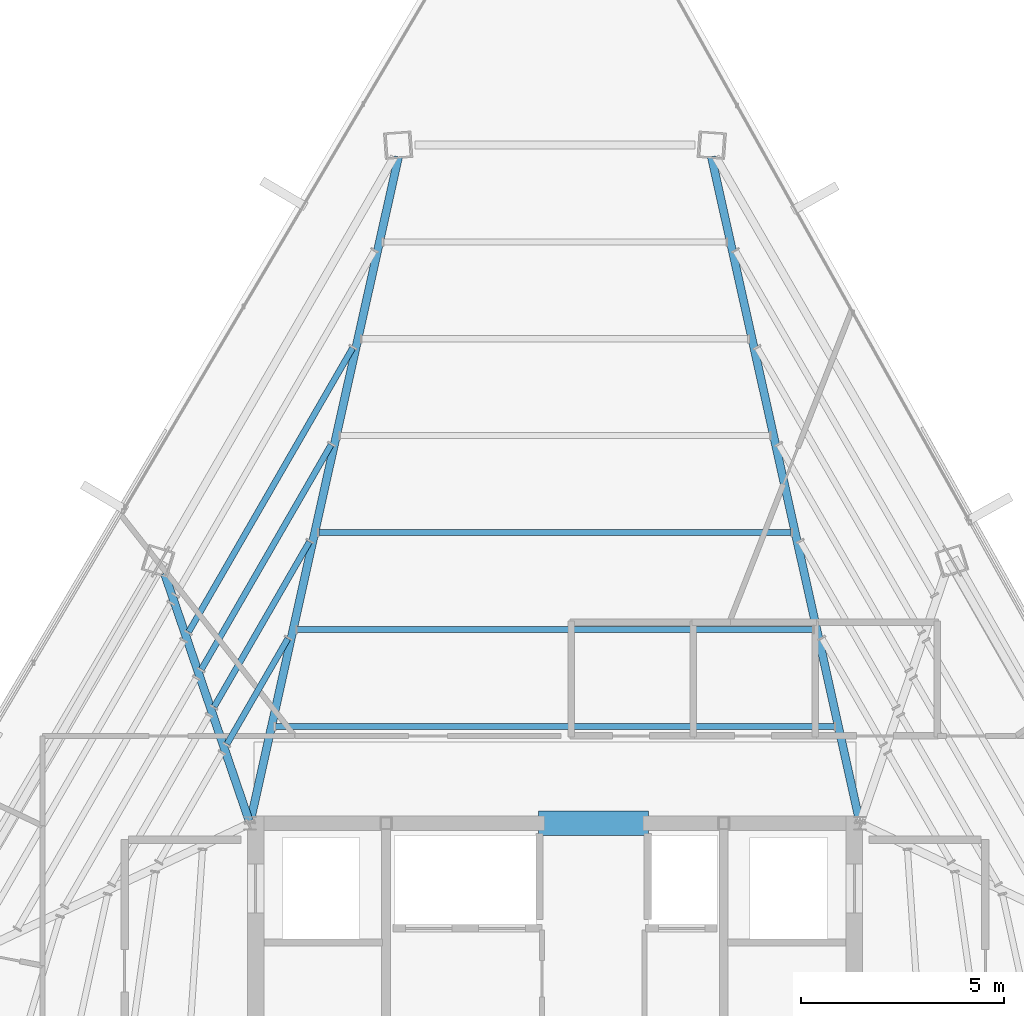
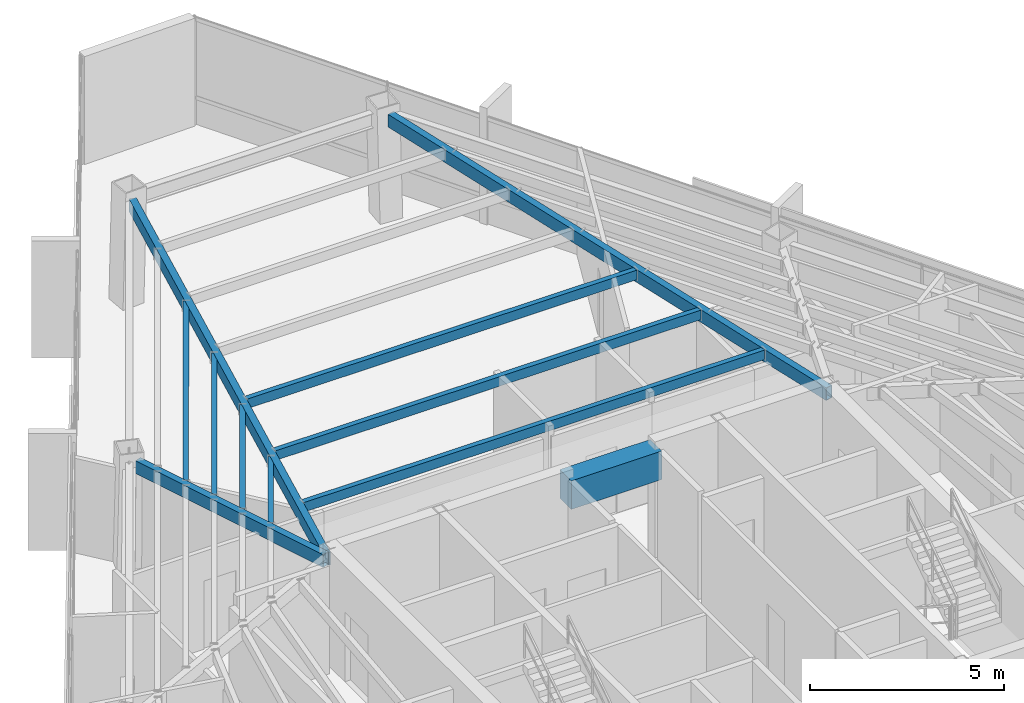
# One storey, part 18 of 47: 11 beams.
"""IFC4 building model written with IfcOpenShell, lengths in metres."""

from ifc_helpers import new_model, si_unit, direction, frame, origin, origin_2d, place, context, subcontext, project, spatial, rectangle, hollow_rectangle, extrude, source, transform, mapped, material, material_profile, profile_set, type_object, type_shapes, element, save


model = new_model("IFC4")

# Units and contexts
model_context = context("Model", 3, precision=1e-05, world=origin(), true_north=direction((0.0, 1.0)))
body_context = subcontext(model_context, "Body", "Model", "MODEL_VIEW")
ifc_project = project(units=[si_unit("LENGTHUNIT", "METRE"), si_unit("AREAUNIT", "SQUARE_METRE"), si_unit("VOLUMEUNIT", "CUBIC_METRE"), si_unit("PLANEANGLEUNIT", "RADIAN"), si_unit("MASSUNIT", "GRAM", prefix="KILO")], contexts=[model_context])

# Site, building, storey
site_placement = place(None, origin())
site = spatial("IfcSite", under=ifc_project, at=site_placement, CompositionType="ELEMENT")
building_placement = place(site_placement, origin())
building = spatial("IfcBuilding", under=site, at=building_placement, Name="Caelisora Broadcast Tower", CompositionType="ELEMENT")
storey_placement = place(building_placement, frame((0.0, 0.0, 255.39990234375)))
storey = spatial("IfcBuildingStorey", under=building, at=storey_placement, Name="L67", CompositionType="ELEMENT", Elevation=255.39990234375)

# Beams
ifc_material_1 = material(Name="Concrete 50 MPa (AS 3600 S50)", Category="concrete")
ifc_material_profile_1 = material_profile(ifc_material_1, rectangle(XDim=0.60009765625, YDim=0.89990234375, at=origin_2d()), Name="Concrete 50 MPa (AS 3600 S50)")
ifc_profile_set_1 = profile_set([ifc_material_profile_1], Name="Concrete 50 MPa (AS 3600 S50)")
beam_type_1 = type_object("IfcBeamType", Name="CB02", PredefinedType="LINTEL", material=ifc_profile_set_1)
shared_shape_1 = source(origin(), body_context, "Body", "SweptSolid", [
    extrude(rectangle(XDim=0.60009765625, YDim=0.89990234375, at=origin_2d()), origin(), (0.0, 0.0, 1.0), 2.699951171875),
])
type_shapes(beam_type_1, [shared_shape_1])
beam_1_placement = place(storey_placement, frame((37.60009765625, 30.0, 2.9501953125), z_axis=(1.0, 0.0, 0.0), x_axis=(0.0, 1.0, 0.0)))
element("IfcBeam", 1, at=beam_1_placement, inside=storey, type_object=beam_type_1, Name="L67 beam CB02", PredefinedType="LINTEL", context=body_context, shape_type="MappedRepresentation", body=[
    mapped(shared_shape_1, transform((0.0, 0.0, 0.0), scale=1.0)),
])
ifc_material_2 = material(Name="Steel Grade 350 (AS/NZS 1163 C350L0)", Category="steel")
ifc_material_profile_2 = material_profile(ifc_material_2, hollow_rectangle(XDim=0.199951171875, YDim=0.39990234375, WallThickness=0.012451171875, at=origin_2d()), Name="Steel Grade 350 (AS/NZS 1163 C350L0)")
ifc_profile_set_2 = profile_set([ifc_material_profile_2], Name="Steel Grade 350 (AS/NZS 1163 C350L0)")
beam_type_2 = type_object("IfcBeamType", Name="PG07", PredefinedType="BEAM", material=ifc_profile_set_2)
shared_shape_2 = source(origin(), body_context, "Body", "SweptSolid", [
    extrude(hollow_rectangle(XDim=0.199951171875, YDim=0.39990234375, WallThickness=0.012451171875, at=origin_2d()), origin(), (0.0, 0.0, 1.0), 16.73046875),
])
for number, where, z_axis, x_axis, name in (
    (2, (45.48681640625, 30.05859375, 3.2001953125), (-0.217531458957, 0.976053310206, 0.0), (-0.976053310206, -0.217531458957, 0.0), "L67 beam PG07"),
    (3, (30.51318359375, 30.05859375, 3.2001953125), (0.217531458957, 0.976053310206, 0.0), (-0.976053310206, 0.217531458957, 0.0), "L67 beam PG07"),
):
    element("IfcBeam", number, at=place(storey_placement, frame(where, z_axis=z_axis, x_axis=x_axis)), inside=storey, type_object=beam_type_2, Name=name, PredefinedType="BEAM", context=body_context, shape_type="MappedRepresentation", body=[
        mapped(shared_shape_2, transform((0.0, 0.0, 0.0), scale=1.0)),
    ])
shared_shape_3 = source(origin(), body_context, "Body", "SweptSolid", [
    extrude(hollow_rectangle(XDim=0.199951171875, YDim=0.39990234375, WallThickness=0.012451171875, at=origin_2d()), origin(), (0.0, 0.0, 1.0), 6.439208984375),
])
type_shapes(beam_type_2, [shared_shape_2, shared_shape_3])
beam_2_placement = place(storey_placement, frame((30.480712890625, 30.056884765625, 3.2001953125), z_axis=(-0.323566198112, 0.946205535515, 0.0), x_axis=(-0.946205535515, -0.323566198112, 0.0)))
element("IfcBeam", 4, at=beam_2_placement, inside=storey, type_object=beam_type_2, Name="L67 beam PG07", PredefinedType="BEAM", context=body_context, shape_type="MappedRepresentation", body=[
    mapped(shared_shape_3, transform((0.0, 0.0, 0.0), scale=1.0)),
])
ifc_material_profile_3 = material_profile(ifc_material_2, hollow_rectangle(XDim=0.14990234375, YDim=0.300048828125, WallThickness=0.010009765625, at=origin_2d()), Name="Steel Grade 350 (AS/NZS 1163 C350L0)")
ifc_profile_set_3 = profile_set([ifc_material_profile_3], Name="Steel Grade 350 (AS/NZS 1163 C350L0)")
beam_type_3 = type_object("IfcBeamType", Name="SB05", PredefinedType="JOIST", material=ifc_profile_set_3)
shared_shape_4 = source(origin(), body_context, "Body", "SweptSolid", [
    extrude(hollow_rectangle(XDim=0.14990234375, YDim=0.300048828125, WallThickness=0.010009765625, at=origin_2d()), origin(), (0.0, 0.0, 1.0), 13.73876953125),
])
beam_3_placement = place(storey_placement, frame((44.869384765625, 32.3828125, 3.25), z_axis=(-1.0, 0.0, 0.0), x_axis=(0.0, -1.0, 0.0)))
element("IfcBeam", 5, at=beam_3_placement, inside=storey, type_object=beam_type_3, Name="L67 beam SB05", PredefinedType="JOIST", context=body_context, shape_type="MappedRepresentation", body=[
    mapped(shared_shape_4, transform((0.0, 0.0, 0.0), scale=1.0)),
])
shared_shape_5 = source(origin(), body_context, "Body", "SweptSolid", [
    extrude(hollow_rectangle(XDim=0.14990234375, YDim=0.300048828125, WallThickness=0.010009765625, at=origin_2d()), origin(), (0.0, 0.0, 1.0), 12.6767578125),
])
beam_4_placement = place(storey_placement, frame((44.33837890625, 34.765380859375, 3.25), z_axis=(-1.0, 0.0, 0.0), x_axis=(0.0, -1.0, 0.0)))
element("IfcBeam", 6, at=beam_4_placement, inside=storey, type_object=beam_type_3, Name="L67 beam SB05", PredefinedType="JOIST", context=body_context, shape_type="MappedRepresentation", body=[
    mapped(shared_shape_5, transform((0.0, 0.0, 0.0), scale=1.0)),
])
shared_shape_6 = source(origin(), body_context, "Body", "SweptSolid", [
    extrude(hollow_rectangle(XDim=0.14990234375, YDim=0.300048828125, WallThickness=0.010009765625, at=origin_2d()), origin(), (0.0, 0.0, 1.0), 11.61474609375),
])
beam_5_placement = place(storey_placement, frame((43.807373046875, 37.148193359375, 3.25), z_axis=(-1.0, 0.0, 0.0), x_axis=(0.0, -1.0, 0.0)))
element("IfcBeam", 7, at=beam_5_placement, inside=storey, type_object=beam_type_3, Name="L67 beam SB05", PredefinedType="JOIST", context=body_context, shape_type="MappedRepresentation", body=[
    mapped(shared_shape_6, transform((0.0, 0.0, 0.0), scale=1.0)),
])
shared_shape_7 = source(origin(), body_context, "Body", "SweptSolid", [
    extrude(hollow_rectangle(XDim=0.14990234375, YDim=0.300048828125, WallThickness=0.010009765625, at=origin_2d()), origin(), (0.0, 0.0, 1.0), 2.990966796875),
])
beam_6_placement = place(storey_placement, frame((31.431884765625, 34.540283203125, 3.25), z_axis=(-0.499957981141, -0.866049662025, 0.0), x_axis=(0.866049662025, -0.499957981141, 0.0)))
element("IfcBeam", 8, at=beam_6_placement, inside=storey, type_object=beam_type_3, Name="L67 beam SB05", PredefinedType="JOIST", context=body_context, shape_type="MappedRepresentation", body=[
    mapped(shared_shape_7, transform((0.0, 0.0, 0.0), scale=1.0)),
])
shared_shape_8 = source(origin(), body_context, "Body", "SweptSolid", [
    extrude(hollow_rectangle(XDim=0.14990234375, YDim=0.300048828125, WallThickness=0.010009765625, at=origin_2d()), origin(), (0.0, 0.0, 1.0), 4.681396484375),
])
beam_7_placement = place(storey_placement, frame((31.962890625, 36.9228515625, 3.25), z_axis=(-0.499981281088, -0.866036210884, 0.0), x_axis=(0.866036210884, -0.499981281088, 0.0)))
element("IfcBeam", 9, at=beam_7_placement, inside=storey, type_object=beam_type_3, Name="L67 beam SB05", PredefinedType="JOIST", context=body_context, shape_type="MappedRepresentation", body=[
    mapped(shared_shape_8, transform((0.0, 0.0, 0.0), scale=1.0)),
])
shared_shape_9 = source(origin(), body_context, "Body", "SweptSolid", [
    extrude(hollow_rectangle(XDim=0.14990234375, YDim=0.300048828125, WallThickness=0.010009765625, at=origin_2d()), origin(), (0.0, 0.0, 1.0), 6.371826171875),
])
beam_8_placement = place(storey_placement, frame((32.494140625, 39.3056640625, 3.25), z_axis=(-0.500020955208, -0.866013304951, 0.0), x_axis=(0.866013304951, -0.500020955208, 0.0)))
element("IfcBeam", 10, at=beam_8_placement, inside=storey, type_object=beam_type_3, Name="L67 beam SB05", PredefinedType="JOIST", context=body_context, shape_type="MappedRepresentation", body=[
    mapped(shared_shape_9, transform((0.0, 0.0, 0.0), scale=1.0)),
])
shared_shape_10 = source(origin(), body_context, "Body", "SweptSolid", [
    extrude(hollow_rectangle(XDim=0.14990234375, YDim=0.300048828125, WallThickness=0.010009765625, at=origin_2d()), origin(), (0.0, 0.0, 1.0), 8.062255859375),
])
type_shapes(beam_type_3, [shared_shape_4, shared_shape_5, shared_shape_6, shared_shape_7, shared_shape_8, shared_shape_9, shared_shape_10])
beam_9_placement = place(storey_placement, frame((33.025146484375, 41.6884765625, 3.25), z_axis=(-0.500008168067, -0.866020687897, 0.0), x_axis=(0.866020687897, -0.500008168067, 0.0)))
element("IfcBeam", 11, at=beam_9_placement, inside=storey, type_object=beam_type_3, Name="L67 beam SB05", PredefinedType="JOIST", context=body_context, shape_type="MappedRepresentation", body=[
    mapped(shared_shape_10, transform((0.0, 0.0, 0.0), scale=1.0)),
])

save(model, "model.ifc")
